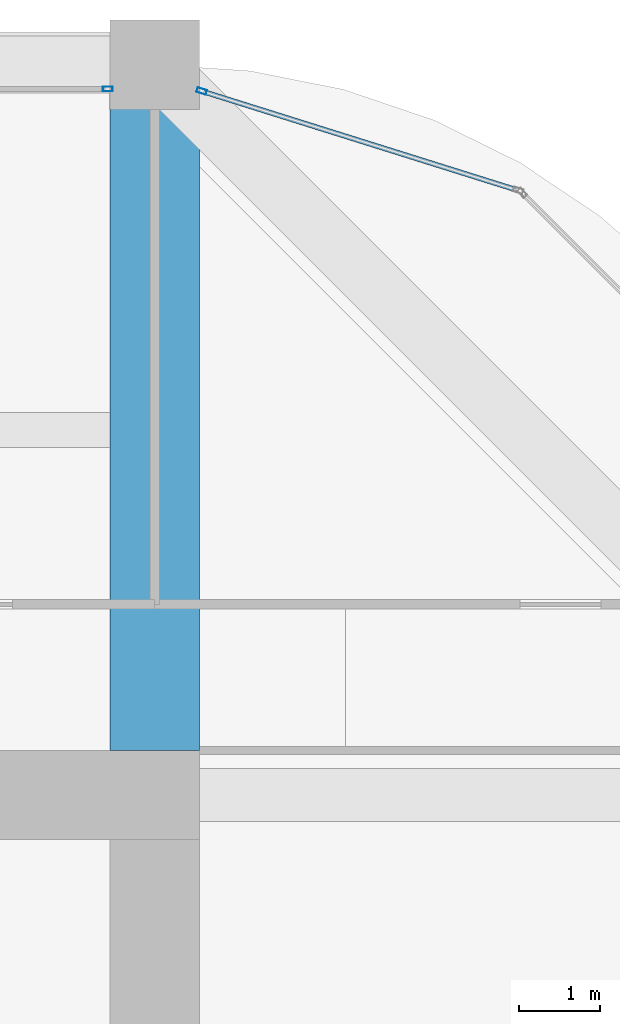
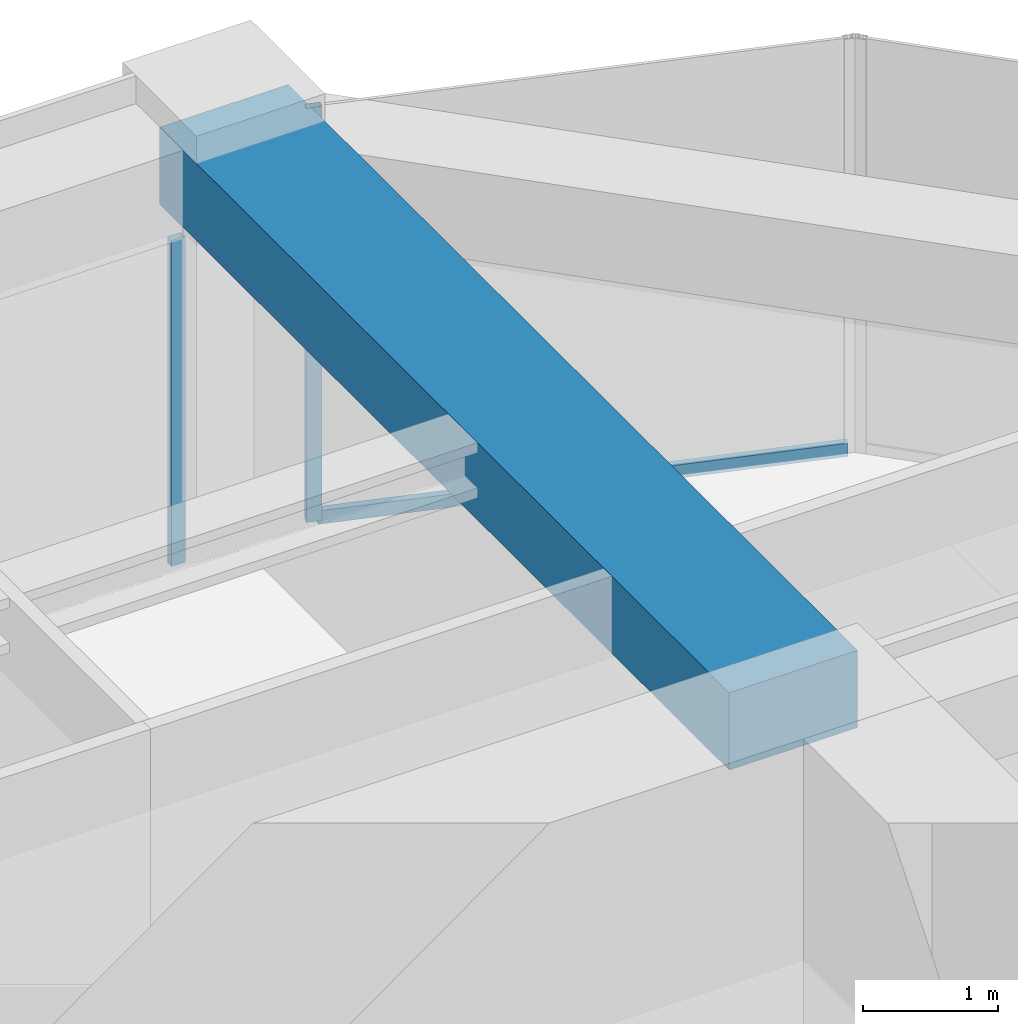
# One storey, part 37 of 44: 3 members, 1 beam, 2 elements without a shape of their own.
"""IFC4 building model written with IfcOpenShell, lengths in metres."""

import ifcopenshell
import ifcopenshell.guid

model = None  # the IFC model being written
_history = None  # IfcOwnerHistory: only IFC2X3 demands one
_inside = {}  # id of a spatial element -> (the spatial element, [elements in it])
_under = {}  # id of a project, library or spatial element -> (it, [spatial elements below it])
_declared = {}  # id of a project -> (the project, [libraries it declares])
_typed = {}  # id of a type object -> (the type object, [elements of that type])
_made_of = {}  # id of a material, layer set ... -> (it, [elements and type objects made of it])


def new_model(schema):
    """Start an empty IFC model of exactly this schema.

    Asked for "IFC4X3", IfcOpenShell would pick the latest addendum, in which some entities
    have other attributes; the version numbers below select the first issue.
    IFC2X3 requires an IfcOwnerHistory on every rooted entity: one is made here for all.
    """
    global model, _history
    if schema == "IFC4X3":
        model = ifcopenshell.file(schema_version=(4, 3, 0, 0))
    else:
        model = ifcopenshell.file(schema=schema)
    _inside.clear()
    _under.clear()
    _declared.clear()
    _typed.clear()
    _made_of.clear()
    _history = None
    if model.schema == "IFC2X3":
        org = make("IfcOrganization", Name="unknown")
        user = make(
            "IfcPersonAndOrganization",
            ThePerson=make("IfcPerson", FamilyName="unknown"),
            TheOrganization=org,
        )
        app = make(
            "IfcApplication",
            ApplicationDeveloper=org,
            Version="unknown",
            ApplicationFullName="unknown",
            ApplicationIdentifier="unknown",
        )
        _history = make(
            "IfcOwnerHistory",
            OwningUser=user,
            OwningApplication=app,
            ChangeAction="ADDED",
            CreationDate=0,
        )
    return model


def make(cls, **values):
    """One entity of the class cls with the attributes given. An attribute that is None is left unset."""
    return model.create_entity(
        cls, **{name: value for name, value in values.items() if value is not None}
    )


def rooted(cls, **values):
    """An entity with a GlobalId (a new one), such as an element, a storey or a relation."""
    return make(cls, GlobalId=ifcopenshell.guid.new(), OwnerHistory=_history, **values)


def si_unit(unit_type, name, prefix=None):
    """IfcSIUnit, for example si_unit("LENGTHUNIT", "METRE", prefix="MILLI")."""
    return make("IfcSIUnit", UnitType=unit_type, Prefix=prefix, Name=name)


def assignment(units):
    """IfcUnitAssignment: the units of a project."""
    return None if units is None else make("IfcUnitAssignment", Units=units)


def point(xyz):
    """IfcCartesianPoint."""
    return None if xyz is None else make("IfcCartesianPoint", Coordinates=xyz)


def direction(xyz):
    """IfcDirection."""
    return None if xyz is None else make("IfcDirection", DirectionRatios=xyz)


def frame(location, z_axis=None, x_axis=None):
    """IfcAxis2Placement3D, a coordinate frame: its origin and axes. An axis left out is left unset."""
    return make(
        "IfcAxis2Placement3D",
        Location=point(location),
        Axis=direction(z_axis),
        RefDirection=direction(x_axis),
    )


def frame_2d(location, x_axis=None):
    """IfcAxis2Placement2D, a coordinate frame in the plane: its origin and x axis."""
    return make(
        "IfcAxis2Placement2D", Location=point(location), RefDirection=direction(x_axis)
    )


def origin():
    """The frame at (0, 0, 0) with its axes left unset."""
    return frame((0.0, 0.0, 0.0))


def origin_2d():
    """The frame at (0, 0) in the plane with its x axis left unset."""
    return frame_2d((0.0, 0.0))


def place(relative_to, where):
    """IfcLocalPlacement: puts the frame where relative to a parent placement (None: the world)."""
    return make(
        "IfcLocalPlacement", PlacementRelTo=relative_to, RelativePlacement=where
    )


def context(
    kind, dimensions, precision=None, world=None, true_north=None, identifier=None
):
    """IfcGeometricRepresentationContext, for example the 3D "Model" context."""
    return make(
        "IfcGeometricRepresentationContext",
        ContextIdentifier=identifier,
        ContextType=kind,
        CoordinateSpaceDimension=dimensions,
        Precision=precision,
        WorldCoordinateSystem=world,
        TrueNorth=true_north,
    )


def subcontext(parent, identifier, kind, view, scale=None):
    """IfcGeometricRepresentationSubContext, for example "Body" below "Model"."""
    return make(
        "IfcGeometricRepresentationSubContext",
        ContextIdentifier=identifier,
        ContextType=kind,
        ParentContext=parent,
        TargetScale=scale,
        TargetView=view,
    )


def project(units=None, contexts=None):
    """IfcProject with its units and contexts."""
    return rooted(
        "IfcProject",
        Name="project",
        RepresentationContexts=contexts,
        UnitsInContext=assignment(units),
    )


def spatial(cls, under=None, at=None, **own):
    """A site, building, storey or space (cls), placed at a placement, below another one or the project."""
    s = rooted(cls, ObjectPlacement=at, **own)
    if under is not None:
        _under.setdefault(under.id(), (under, []))[1].append(s)
    return s


def profile(cls, at=None, kind="AREA", **sizes):
    """A parametric profile (cls). Its sizes go by their IFC names, for example OverallWidth=200.0."""
    return make(cls, ProfileType=kind, Position=at, **sizes)


def rectangle(**sizes):
    """IfcRectangleProfileDef."""
    return profile("IfcRectangleProfileDef", **sizes)


def hollow_rectangle(**sizes):
    """IfcRectangleHollowProfileDef."""
    return profile("IfcRectangleHollowProfileDef", **sizes)


def extrude(swept, where, along, depth):
    """IfcExtrudedAreaSolid: the profile swept, set in the frame where, extruded along a direction by depth."""
    return make(
        "IfcExtrudedAreaSolid",
        SweptArea=swept,
        Position=where,
        ExtrudedDirection=direction(along),
        Depth=depth,
    )


def shape(context_of_items, identifier, shape_type, items):
    """IfcShapeRepresentation: the items that make up one representation, for example the "Body"."""
    return make(
        "IfcShapeRepresentation",
        ContextOfItems=context_of_items,
        RepresentationIdentifier=identifier,
        RepresentationType=shape_type,
        Items=items,
    )


def material(Name=None, Category=None):
    """IfcMaterial."""
    return make("IfcMaterial", Name=Name, Category=Category)


def material_profile(
    of_material, cross_section, Name=None, Category=None, Priority=None
):
    """IfcMaterialProfile: a cross section and its material."""
    return make(
        "IfcMaterialProfile",
        Name=Name,
        Material=of_material,
        Profile=cross_section,
        Priority=Priority,
        Category=Category,
    )


def profile_set(profiles, Name=None, composite=None):
    """IfcMaterialProfileSet."""
    return make(
        "IfcMaterialProfileSet",
        Name=Name,
        MaterialProfiles=profiles,
        CompositeProfile=composite,
    )


def made_of(thing, what):
    """Note that an element or type object is made of a material, layer set ...; save() writes the relation."""
    if what is not None:
        _made_of.setdefault(what.id(), (what, []))[1].append(thing)
    return thing


def type_object(cls, material=None, **own):
    """A type object (cls), such as IfcWallType, which elements share."""
    return made_of(rooted(cls, **own), material)


def element(
    cls,
    number,
    at=None,
    inside=None,
    cuts=None,
    type_object=None,
    material=None,
    context=None,
    identifier="Body",
    shape_type=None,
    held_by="IfcProductDefinitionShape",
    body=None,
    shapes=None,
    **own,
):
    """One element of the class cls, such as IfcWall. Its Tag is "e" and its number.

    at: its placement. inside: the storey or other place that contains it. cuts: it is an
    opening in that element (IfcRelVoidsElement). A single representation is given by context,
    identifier, shape_type and body (its items); several are given by shapes. held_by: the class
    of the entity that holds the representations. save() writes the other relations.
    """
    e = rooted(cls, Tag="e%d" % number, ObjectPlacement=at, **own)
    if body is not None:
        shapes = [shape(context, identifier, shape_type, body)]
    if shapes is not None:
        e.Representation = make(held_by, Representations=shapes)
    if inside is not None:
        _inside.setdefault(inside.id(), (inside, []))[1].append(e)
    if cuts is not None:
        rooted(
            "IfcRelVoidsElement", RelatingBuildingElement=cuts, RelatedOpeningElement=e
        )
    if type_object is not None:
        _typed.setdefault(type_object.id(), (type_object, []))[1].append(e)
    return made_of(e, material)


def aggregate(whole, parts):
    """IfcRelAggregates: a whole, such as a stair, and the parts it consists of."""
    return rooted("IfcRelAggregates", RelatingObject=whole, RelatedObjects=parts)


def save(model, path):
    """Write the relations noted so far, then the file.

    IfcRelAggregates (storeys below a building ...), IfcRelContainedInSpatialStructure (elements
    in a storey), IfcRelDefinesByType, IfcRelAssociatesMaterial and IfcRelDeclares: one each for
    every whole, place, type object, material and project.
    """
    for whole, parts in _under.values():
        aggregate(whole, parts)
    for where, things in _inside.values():
        rooted(
            "IfcRelContainedInSpatialStructure",
            RelatedElements=things,
            RelatingStructure=where,
        )
    for kind, things in _typed.values():
        rooted("IfcRelDefinesByType", RelatedObjects=things, RelatingType=kind)
    for what, things in _made_of.values():
        rooted("IfcRelAssociatesMaterial", RelatedObjects=things, RelatingMaterial=what)
    for by, libraries in _declared.values():
        rooted("IfcRelDeclares", RelatingContext=by, RelatedDefinitions=libraries)
    model.write(path)


model = new_model("IFC4")

# Units and contexts
model_context = context("Model", 3, precision=1e-05, world=origin(), true_north=direction((0.0, 1.0)))
body_context = subcontext(model_context, "Body", "Model", "MODEL_VIEW")
ifc_project = project(units=[si_unit("LENGTHUNIT", "METRE"), si_unit("AREAUNIT", "SQUARE_METRE"), si_unit("VOLUMEUNIT", "CUBIC_METRE"), si_unit("PLANEANGLEUNIT", "RADIAN"), si_unit("MASSUNIT", "GRAM", prefix="KILO")], contexts=[model_context])

# Site, building, storey
site_placement = place(None, origin())
site = spatial("IfcSite", under=ifc_project, at=site_placement, CompositionType="ELEMENT")
building_placement = place(site_placement, origin())
building = spatial("IfcBuilding", under=site, at=building_placement, Name="Zorevar Civic Tower", CompositionType="ELEMENT")
storey_placement = place(building_placement, frame((0.0, 0.0, 283.39990234375)))
storey = spatial("IfcBuildingStorey", under=building, at=storey_placement, Name="L69", CompositionType="ELEMENT", Elevation=283.39990234375)

# Beam
ifc_material_1 = material(Name="Concrete C50/60", Category="concrete")
ifc_material_profile_1 = material_profile(ifc_material_1, rectangle(XDim=1.10009765625, YDim=0.699951171875, at=origin_2d()), Name="RC 1100x700")
ifc_profile_set_1 = profile_set([ifc_material_profile_1], Name="Concrete C50/60")
beam_type = type_object("IfcBeamType", Name="Beam RC 1100x700", PredefinedType="BEAM", material=ifc_profile_set_1)
beam_placement = place(storey_placement, frame((45.0, 36.550048828125, 3.400146484375), z_axis=(0.0, 1.0, 0.0), x_axis=(-1.0, 0.0, 0.0)))
element("IfcBeam", 1, at=beam_placement, inside=storey, type_object=beam_type, Name="Girder L70", PredefinedType="BEAM", context=body_context, shape_type="SweptSolid", body=[
    extrude(rectangle(XDim=1.10009765625, YDim=0.699951171875, at=origin_2d()), origin(), (0.0, 0.0, 1.0), 8.449951171875),
])

# Curtain wall, member
ifc_material_2 = material(Name="Dark grey solar-control glass in black aluminium frame", Category="aluminium")
curtain_wall_type = type_object("IfcCurtainWallType", Name="Curtain wall CW5 top zone", PredefinedType="NOTDEFINED", material=ifc_material_2)
curtain_wall_1_placement = place(storey_placement, origin())
curtain_wall_1 = element("IfcCurtainWall", 2, at=curtain_wall_1_placement, inside=storey, type_object=curtain_wall_type, Name="CW5 L69", PredefinedType="NOTDEFINED")
ifc_material_3 = material(Name="Aluminium, black anodised", Category="aluminium")
ifc_material_profile_2 = material_profile(ifc_material_3, hollow_rectangle(XDim=0.06005859375, YDim=0.1201171875, WallThickness=0.0029296875, at=origin_2d()), Name="AL 120x60x3")
ifc_profile_set_2 = profile_set([ifc_material_profile_2], Name="Aluminium, black anodised")
member_type_1 = type_object("IfcMemberType", Name="CW5 mullion AL 120x60x3", PredefinedType="MULLION", material=ifc_profile_set_2)
member_1_placement = place(storey_placement, frame((44.419921875, 44.699951171875, 0.0), z_axis=(0.0, 0.0, 1.0), x_axis=(0.0, 1.0, 0.0)))
member_1 = element("IfcMember", 3, at=member_1_placement, type_object=member_type_1, Name="CW5 mullion 3", PredefinedType="MULLION", context=body_context, shape_type="SweptSolid", body=[
    extrude(hollow_rectangle(XDim=0.06005859375, YDim=0.1201171875, WallThickness=0.0029296875, at=origin_2d()), origin(), (0.0, 0.0, 1.0), 2.9501953125),
])
aggregate(curtain_wall_1, [member_1])

# Curtain wall, members
curtain_wall_2_placement = place(storey_placement, origin())
curtain_wall_2 = element("IfcCurtainWall", 4, at=curtain_wall_2_placement, inside=storey, type_object=curtain_wall_type, Name="CW5 L69", PredefinedType="NOTDEFINED")
member_2_placement = place(storey_placement, frame((45.57861328125, 44.673583984375, 0.0), z_axis=(0.0, 0.0, 1.0), x_axis=(-0.299317920238, -0.954153437674, 0.0)))
member_2 = element("IfcMember", 5, at=member_2_placement, type_object=member_type_1, Name="CW5 mullion 2", PredefinedType="MULLION", context=body_context, shape_type="SweptSolid", body=[
    extrude(hollow_rectangle(XDim=0.06005859375, YDim=0.1201171875, WallThickness=0.0029296875, at=origin_2d()), origin(), (0.0, 0.0, 1.0), 3.75),
])
ifc_material_4 = material(Name="Aluminium, black anodised", Category="aluminium")
ifc_material_profile_3 = material_profile(ifc_material_4, hollow_rectangle(XDim=0.06005859375, YDim=0.1201171875, WallThickness=0.0029296875, at=origin_2d()), Name="AL 120x60x3")
ifc_profile_set_3 = profile_set([ifc_material_profile_3], Name="Aluminium, black anodised")
member_type_2 = type_object("IfcMemberType", Name="CW5 transom AL 120x60x3", PredefinedType="USERDEFINED", material=ifc_profile_set_3)
member_3_placement = place(storey_placement, frame((49.45068359375, 43.458984375, 0.030029296875), z_axis=(-0.954163457351, 0.299285978047, 0.0), x_axis=(-0.299285978047, -0.954163457351, 0.0)))
member_3 = element("IfcMember", 6, at=member_3_placement, type_object=member_type_2, Name="CW5 sill transom", ObjectType="TRANSOM", PredefinedType="USERDEFINED", context=body_context, shape_type="SweptSolid", body=[
    extrude(hollow_rectangle(XDim=0.06005859375, YDim=0.1201171875, WallThickness=0.0029296875, at=origin_2d()), origin(), (0.0, 0.0, 1.0), 4.028076171875),
])
aggregate(curtain_wall_2, [member_2, member_3])

save(model, "model.ifc")
